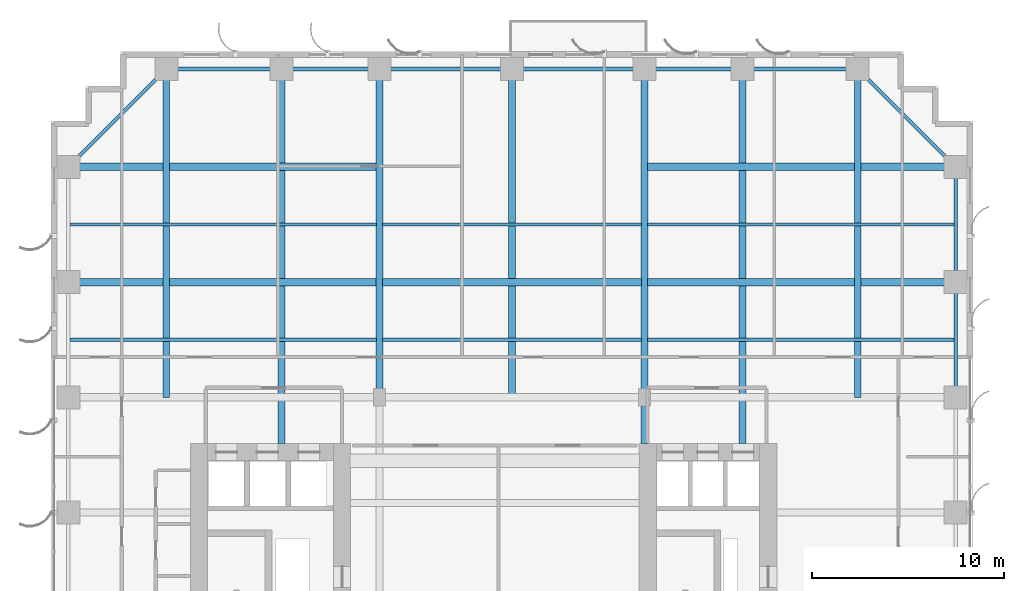
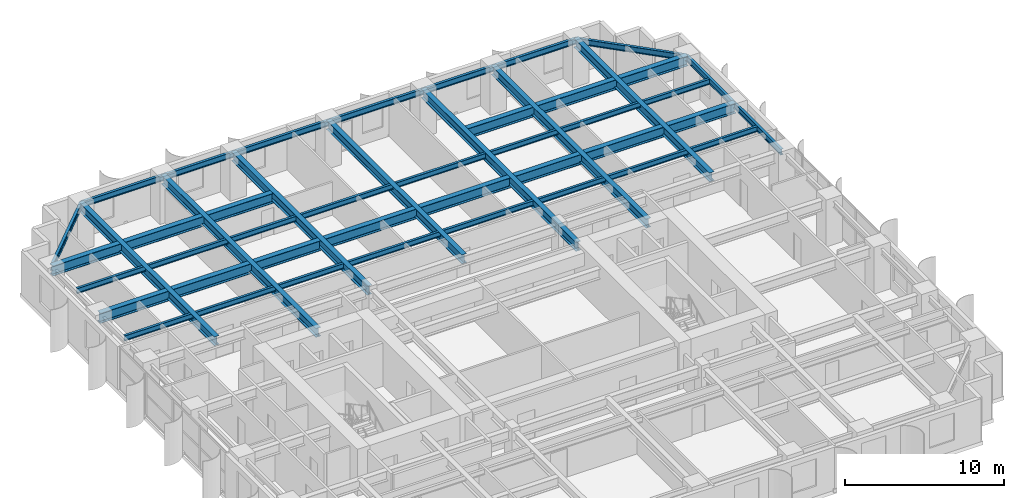
# One storey, part 6 of 16: 28 beams.
"""IFC4 building model written with IfcOpenShell, lengths in metres."""

from ifc_helpers import new_model, si_unit, direction, frame, origin, origin_2d, place, context, subcontext, project, spatial, i_section, extrude, source, transform, mapped, material, material_profile, profile_set, type_object, element, save


model = new_model("IFC4")

# Units and contexts
model_context = context("Model", 3, precision=1e-05, world=origin(), true_north=direction((0.0, 1.0)))
body_context = subcontext(model_context, "Body", "Model", "MODEL_VIEW")
ifc_project = project(units=[si_unit("LENGTHUNIT", "METRE"), si_unit("AREAUNIT", "SQUARE_METRE"), si_unit("VOLUMEUNIT", "CUBIC_METRE"), si_unit("PLANEANGLEUNIT", "RADIAN"), si_unit("MASSUNIT", "GRAM", prefix="KILO")], contexts=[model_context])

# Site, building, storey
site_placement = place(None, origin())
site = spatial("IfcSite", under=ifc_project, at=site_placement, CompositionType="ELEMENT")
building_placement = place(site_placement, origin())
building = spatial("IfcBuilding", under=site, at=building_placement, Name="Khoralis Quay Care Tower", CompositionType="ELEMENT")
storey_placement = place(building_placement, frame((0.0, 0.0, 29.699951171875)))
storey = spatial("IfcBuildingStorey", under=building, at=storey_placement, Name="L07", CompositionType="ELEMENT", Elevation=29.699951171875)

# Beams
ifc_material = material(Name="Steel S355", Category="steel")
ifc_material_profile_1 = material_profile(ifc_material, i_section(OverallWidth=0.18994140625, OverallDepth=0.449951171875, WebThickness=0.009521484375, FlangeThickness=0.0146484375, FilletRadius=0.02099609375, at=origin_2d()), Name="Steel S355")
ifc_profile_set_1 = profile_set([ifc_material_profile_1], Name="Steel S355")
beam_type_1 = type_object("IfcBeamType", Name="BM-IPE450", PredefinedType="SPANDREL", material=ifc_profile_set_1)
shared_shape_1 = source(origin(), body_context, "Body", "SweptSolid", [
    extrude(i_section(OverallWidth=0.18994140625, OverallDepth=0.449951171875, WebThickness=0.009521484375, FlangeThickness=0.0146484375, FilletRadius=0.02099609375, at=origin_2d()), origin(), (0.0, 0.0, 1.0), 6.0),
])
for number, where, z_axis, x_axis, name in (
    (1, (6.0, 47.10009765625, 3.094970703125), (1.0, 0.0, 0.0), (0.0, 1.0, 0.0), "BM-TSP-L07-07"),
    (2, (36.0, 47.10009765625, 3.094970703125), (1.0, 0.0, 0.0), (0.0, 1.0, 0.0), "BM-TSP-L07-12"),
    (3, (47.10009765625, 30.0, 3.094970703125), (0.0, 1.0, 0.0), (-1.0, 0.0, 0.0), "BM-TSP-L07-23"),
    (4, (47.10009765625, 36.0, 3.094970703125), (0.0, 1.0, 0.0), (-1.0, 0.0, 0.0), "BM-TSP-L07-24"),
):
    element("IfcBeam", number, at=place(storey_placement, frame(where, z_axis=z_axis, x_axis=x_axis)), inside=storey, type_object=beam_type_1, Name=name, PredefinedType="SPANDREL", context=body_context, shape_type="MappedRepresentation", body=[
        mapped(shared_shape_1, transform((0.0, 0.0, 0.0), scale=1.0)),
    ])
shared_shape_2 = source(origin(), body_context, "Body", "SweptSolid", [
    extrude(i_section(OverallWidth=0.18994140625, OverallDepth=0.449951171875, WebThickness=0.009521484375, FlangeThickness=0.0146484375, FilletRadius=0.02099609375, at=origin_2d()), origin(), (0.0, 0.0, 1.0), 5.10009765625),
])
for number, where, z_axis, x_axis, name in (
    (5, (12.0, 47.10009765625, 3.094970703125), (1.0, 0.0, 0.0), (0.0, 1.0, 0.0), "BM-TSP-L07-08"),
    (6, (30.89990234375, 47.10009765625, 3.094970703125), (1.0, 0.0, 0.0), (0.0, 1.0, 0.0), "BM-TSP-L07-11"),
):
    element("IfcBeam", number, at=place(storey_placement, frame(where, z_axis=z_axis, x_axis=x_axis)), inside=storey, type_object=beam_type_1, Name=name, PredefinedType="SPANDREL", context=body_context, shape_type="MappedRepresentation", body=[
        mapped(shared_shape_2, transform((0.0, 0.0, 0.0), scale=1.0)),
    ])
shared_shape_3 = source(origin(), body_context, "Body", "SweptSolid", [
    extrude(i_section(OverallWidth=0.18994140625, OverallDepth=0.449951171875, WebThickness=0.009521484375, FlangeThickness=0.0146484375, FilletRadius=0.02099609375, at=origin_2d()), origin(), (0.0, 0.0, 1.0), 6.89990234375),
])
for number, where, z_axis, x_axis, name in (
    (7, (17.10009765625, 47.10009765625, 3.094970703125), (1.0, 0.0, 0.0), (0.0, 1.0, 0.0), "BM-TSP-L07-09"),
    (8, (24.0, 47.10009765625, 3.094970703125), (1.0, 0.0, 0.0), (0.0, 1.0, 0.0), "BM-TSP-L07-10"),
):
    element("IfcBeam", number, at=place(storey_placement, frame(where, z_axis=z_axis, x_axis=x_axis)), inside=storey, type_object=beam_type_1, Name=name, PredefinedType="SPANDREL", context=body_context, shape_type="MappedRepresentation", body=[
        mapped(shared_shape_3, transform((0.0, 0.0, 0.0), scale=1.0)),
    ])
shared_shape_4 = source(origin(), body_context, "Body", "SweptSolid", [
    extrude(i_section(OverallWidth=0.18994140625, OverallDepth=0.449951171875, WebThickness=0.009521484375, FlangeThickness=0.0146484375, FilletRadius=0.02099609375, at=origin_2d()), origin(), (0.0, 0.0, 1.0), 7.212646484375),
])
for number, where, z_axis, x_axis, name in (
    (9, (6.0, 47.10009765625, 3.094970703125), (-0.707106781187, -0.707106781187, 0.0), (0.707106781187, -0.707106781187, 0.0), "BM-TCR-L07-27"),
    (10, (42.0, 47.10009765625, 3.094970703125), (0.707106781187, -0.707106781187, 0.0), (0.707106781187, 0.707106781187, 0.0), "BM-TCR-L07-28"),
):
    element("IfcBeam", number, at=place(storey_placement, frame(where, z_axis=z_axis, x_axis=x_axis)), inside=storey, type_object=beam_type_1, Name=name, PredefinedType="SPANDREL", context=body_context, shape_type="MappedRepresentation", body=[
        mapped(shared_shape_4, transform((0.0, 0.0, 0.0), scale=1.0)),
    ])
ifc_material_profile_2 = material_profile(ifc_material, i_section(OverallWidth=0.381103515625, OverallDepth=0.77294921875, WebThickness=0.0166015625, FlangeThickness=0.027587890625, FilletRadius=0.02197265625, at=origin_2d()), Name="Steel S355")
ifc_profile_set_2 = profile_set([ifc_material_profile_2], Name="Steel S355")
beam_type_2 = type_object("IfcBeamType", Name="BM-W760X257", PredefinedType="BEAM", material=ifc_profile_set_2)
shared_shape_5 = source(origin(), body_context, "Body", "SweptSolid", [
    extrude(i_section(OverallWidth=0.381103515625, OverallDepth=0.77294921875, WebThickness=0.0166015625, FlangeThickness=0.027587890625, FilletRadius=0.02197265625, at=origin_2d()), origin(), (0.0, 0.0, 1.0), 16.03466796875),
])
for number, where, z_axis, x_axis, name in (
    (11, (0.89990234375, 36.0, 2.93359375), (1.0, 0.0, 0.0), (0.0, 1.0, 0.0), "BM-TGXW-L07-360"),
    (12, (0.89990234375, 42.0, 2.93359375), (1.0, 0.0, 0.0), (0.0, 1.0, 0.0), "BM-TGXW-L07-420"),
    (13, (31.0654296875, 36.0, 2.93359375), (1.0, 0.0, 0.0), (0.0, 1.0, 0.0), "BM-TGXE-L07-360"),
    (14, (31.0654296875, 42.0, 2.93359375), (1.0, 0.0, 0.0), (0.0, 1.0, 0.0), "BM-TGXE-L07-420"),
):
    element("IfcBeam", number, at=place(storey_placement, frame(where, z_axis=z_axis, x_axis=x_axis)), inside=storey, type_object=beam_type_2, Name=name, PredefinedType="BEAM", context=body_context, shape_type="MappedRepresentation", body=[
        mapped(shared_shape_5, transform((0.0, 0.0, 0.0), scale=1.0)),
    ])
shared_shape_6 = source(origin(), body_context, "Body", "SweptSolid", [
    extrude(i_section(OverallWidth=0.381103515625, OverallDepth=0.77294921875, WebThickness=0.0166015625, FlangeThickness=0.027587890625, FilletRadius=0.02197265625, at=origin_2d()), origin(), (0.0, 0.0, 1.0), 13.46923828125),
])
beam_placement = place(storey_placement, frame((17.265380859375, 36.0, 2.93359375), z_axis=(1.0, 0.0, 0.0), x_axis=(0.0, 1.0, 0.0)))
element("IfcBeam", 15, at=beam_placement, inside=storey, type_object=beam_type_2, Name="BM-TGCC-L07-360", PredefinedType="BEAM", context=body_context, shape_type="MappedRepresentation", body=[
    mapped(shared_shape_6, transform((0.0, 0.0, 0.0), scale=1.0)),
])
ifc_material_profile_3 = material_profile(ifc_material, i_section(OverallWidth=0.35498046875, OverallDepth=0.695068359375, WebThickness=0.015380859375, FlangeThickness=0.02490234375, FilletRadius=0.02001953125, at=origin_2d()), Name="Steel S355")
ifc_profile_set_3 = profile_set([ifc_material_profile_3], Name="Steel S355")
beam_type_3 = type_object("IfcBeamType", Name="BM-W690X217", PredefinedType="BEAM", material=ifc_profile_set_3)
shared_shape_7 = source(origin(), body_context, "Body", "SweptSolid", [
    extrude(i_section(OverallWidth=0.35498046875, OverallDepth=0.695068359375, WebThickness=0.015380859375, FlangeThickness=0.02490234375, FilletRadius=0.02001953125, at=origin_2d()), origin(), (0.0, 0.0, 1.0), 17.10009765625),
])
for number, where, z_axis, x_axis, name in (
    (16, (6.0, 30.0, 2.97265625), (0.0, 1.0, 0.0), (-1.0, 0.0, 0.0), "BM-TGYN-L07-60"),
    (17, (17.10009765625, 30.0, 2.97265625), (0.0, 1.0, 0.0), (-1.0, 0.0, 0.0), "BM-TGYN-L07-171"),
    (18, (24.0, 30.0, 2.97265625), (0.0, 1.0, 0.0), (-1.0, 0.0, 0.0), "BM-TGYN-L07-240"),
    (19, (42.0, 30.0, 2.97265625), (0.0, 1.0, 0.0), (-1.0, 0.0, 0.0), "BM-TGYN-L07-420"),
):
    element("IfcBeam", number, at=place(storey_placement, frame(where, z_axis=z_axis, x_axis=x_axis)), inside=storey, type_object=beam_type_3, Name=name, PredefinedType="BEAM", context=body_context, shape_type="MappedRepresentation", body=[
        mapped(shared_shape_7, transform((0.0, 0.0, 0.0), scale=1.0)),
    ])
shared_shape_8 = source(origin(), body_context, "Body", "SweptSolid", [
    extrude(i_section(OverallWidth=0.35498046875, OverallDepth=0.695068359375, WebThickness=0.015380859375, FlangeThickness=0.02490234375, FilletRadius=0.02001953125, at=origin_2d()), origin(), (0.0, 0.0, 1.0), 19.502197265625),
])
for number, where, z_axis, x_axis, name in (
    (20, (12.0, 27.597900390625, 2.97265625), (0.0, 1.0, 0.0), (-1.0, 0.0, 0.0), "BM-TGYN-L07-120"),
    (21, (30.89990234375, 27.597900390625, 2.97265625), (0.0, 1.0, 0.0), (-1.0, 0.0, 0.0), "BM-TGYN-L07-309"),
    (22, (36.0, 27.597900390625, 2.97265625), (0.0, 1.0, 0.0), (-1.0, 0.0, 0.0), "BM-TGYN-L07-360"),
):
    element("IfcBeam", number, at=place(storey_placement, frame(where, z_axis=z_axis, x_axis=x_axis)), inside=storey, type_object=beam_type_3, Name=name, PredefinedType="BEAM", context=body_context, shape_type="MappedRepresentation", body=[
        mapped(shared_shape_8, transform((0.0, 0.0, 0.0), scale=1.0)),
    ])
ifc_material_profile_4 = material_profile(ifc_material, i_section(OverallWidth=0.177978515625, OverallDepth=0.406982421875, WebThickness=0.0078125, FlangeThickness=0.0126953125, FilletRadius=0.012939453125, at=origin_2d()), Name="Steel S355")
ifc_profile_set_4 = profile_set([ifc_material_profile_4], Name="Steel S355")
beam_type_4 = type_object("IfcBeamType", Name="BM-W410X60", PredefinedType="JOIST", material=ifc_profile_set_4)
shared_shape_9 = source(origin(), body_context, "Body", "SweptSolid", [
    extrude(i_section(OverallWidth=0.177978515625, OverallDepth=0.406982421875, WebThickness=0.0078125, FlangeThickness=0.0126953125, FilletRadius=0.012939453125, at=origin_2d()), origin(), (0.0, 0.0, 1.0), 15.95361328125),
])
for number, where, z_axis, x_axis, name in (
    (23, (0.98095703125, 33.0, 3.116455078125), (1.0, 0.0, 0.0), (0.0, 1.0, 0.0), "BM-TJS-L07-32"),
    (24, (31.0654296875, 33.0, 3.116455078125), (1.0, 0.0, 0.0), (0.0, 1.0, 0.0), "BM-TJS-L07-33"),
    (25, (0.98095703125, 39.0, 3.116455078125), (1.0, 0.0, 0.0), (0.0, 1.0, 0.0), "BM-TJS-L07-35"),
    (26, (31.0654296875, 39.0, 3.116455078125), (1.0, 0.0, 0.0), (0.0, 1.0, 0.0), "BM-TJS-L07-36"),
):
    element("IfcBeam", number, at=place(storey_placement, frame(where, z_axis=z_axis, x_axis=x_axis)), inside=storey, type_object=beam_type_4, Name=name, PredefinedType="JOIST", context=body_context, shape_type="MappedRepresentation", body=[
        mapped(shared_shape_9, transform((0.0, 0.0, 0.0), scale=1.0)),
    ])
shared_shape_10 = source(origin(), body_context, "Body", "SweptSolid", [
    extrude(i_section(OverallWidth=0.177978515625, OverallDepth=0.406982421875, WebThickness=0.0078125, FlangeThickness=0.0126953125, FilletRadius=0.012939453125, at=origin_2d()), origin(), (0.0, 0.0, 1.0), 13.46923828125),
])
for number, where, z_axis, x_axis, name in (
    (27, (17.265380859375, 33.0, 3.116455078125), (1.0, 0.0, 0.0), (0.0, 1.0, 0.0), "BM-TJS-L07-34"),
    (28, (17.265380859375, 39.0, 3.116455078125), (1.0, 0.0, 0.0), (0.0, 1.0, 0.0), "BM-TJS-L07-37"),
):
    element("IfcBeam", number, at=place(storey_placement, frame(where, z_axis=z_axis, x_axis=x_axis)), inside=storey, type_object=beam_type_4, Name=name, PredefinedType="JOIST", context=body_context, shape_type="MappedRepresentation", body=[
        mapped(shared_shape_10, transform((0.0, 0.0, 0.0), scale=1.0)),
    ])

save(model, "model.ifc")
